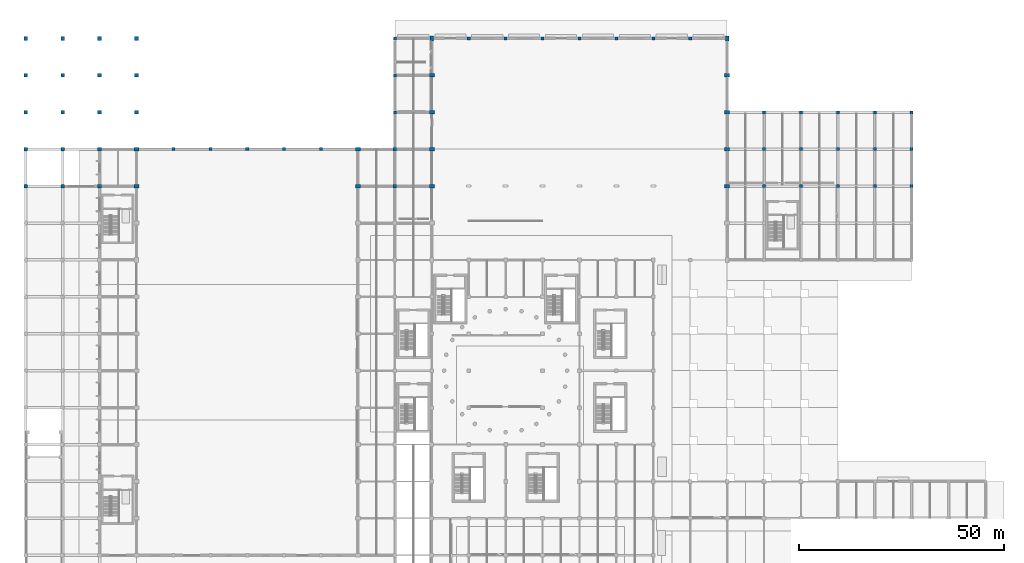
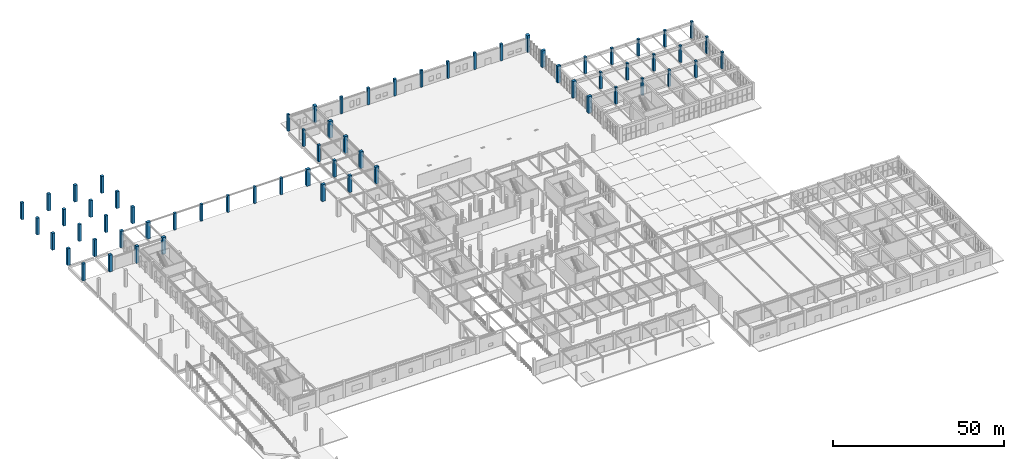
# One storey, part 6 of 91: 64 columns.
"""IFC4 building model written with IfcOpenShell, lengths in metres."""

from ifc_helpers import new_model, si_unit, direction, frame, origin, origin_2d, place, context, subcontext, project, spatial, rectangle, extrude, material, material_profile, profile_set, type_object, element, save


model = new_model("IFC4")

# Units and contexts
model_context = context("Model", 3, precision=1e-05, world=origin(), true_north=direction((0.0, 1.0)))
body_context = subcontext(model_context, "Body", "Model", "MODEL_VIEW")
ifc_project = project(units=[si_unit("LENGTHUNIT", "METRE"), si_unit("AREAUNIT", "SQUARE_METRE"), si_unit("VOLUMEUNIT", "CUBIC_METRE"), si_unit("PLANEANGLEUNIT", "RADIAN"), si_unit("MASSUNIT", "GRAM", prefix="KILO")], contexts=[model_context])

# Site, building, storey
site_placement = place(None, origin())
site = spatial("IfcSite", under=ifc_project, at=site_placement, CompositionType="ELEMENT")
building_placement = place(site_placement, origin())
building = spatial("IfcBuilding", under=site, at=building_placement, Name="Dornveld Trade and Exhibition Forum", CompositionType="ELEMENT")
storey_placement = place(building_placement, origin())
storey = spatial("IfcBuildingStorey", under=building, at=storey_placement, Name="L00", CompositionType="ELEMENT", Elevation=0.0)

# Columns
ifc_material_1 = material(Name="Precast concrete C50/60", Category="concrete")
ifc_material_profile_1 = material_profile(ifc_material_1, rectangle(XDim=0.75, YDim=0.75, at=origin_2d()), Name="PC-COL 750x750")
ifc_profile_set_1 = profile_set([ifc_material_profile_1], Name="Precast concrete C50/60")
column_type_1 = type_object("IfcColumnType", Name="COL-PC750", PredefinedType="COLUMN", material=ifc_profile_set_1)
for number, where, z_axis, x_axis, name in (
    (1, (90.0, 144.0, 0.0), (0.0, 0.0, 1.0), (1.0, 0.0, 0.0), "L00 column (90.0, 144.0)"),
    (2, (90.0, 153.0, 0.0), (0.0, 0.0, 1.0), (1.0, 0.0, 0.0), "L00 column (90.0, 153.0)"),
    (3, (90.0, 162.0, 0.0), (0.0, 0.0, 1.0), (1.0, 0.0, 0.0), "L00 column (90.0, 162.0)"),
    (4, (180.0, 126.0, 0.0), (0.0, 0.0, 1.0), (1.0, 0.0, 0.0), "L00 column (180.0, 126.0)"),
    (5, (180.0, 135.0, 0.0), (0.0, 0.0, 1.0), (1.0, 0.0, 0.0), "L00 column (180.0, 135.0)"),
    (6, (180.0, 144.0, 0.0), (0.0, 0.0, 1.0), (1.0, 0.0, 0.0), "L00 column (180.0, 144.0)"),
    (7, (189.0, 126.0, 0.0), (0.0, 0.0, 1.0), (1.0, 0.0, 0.0), "L00 column (189.0, 126.0)"),
    (8, (189.0, 135.0, 0.0), (0.0, 0.0, 1.0), (1.0, 0.0, 0.0), "L00 column (189.0, 135.0)"),
    (9, (189.0, 144.0, 0.0), (0.0, 0.0, 1.0), (1.0, 0.0, 0.0), "L00 column (189.0, 144.0)"),
    (10, (198.0, 126.0, 0.0), (0.0, 0.0, 1.0), (1.0, 0.0, 0.0), "L00 column (198.0, 126.0)"),
    (11, (198.0, 135.0, 0.0), (0.0, 0.0, 1.0), (1.0, 0.0, 0.0), "L00 column (198.0, 135.0)"),
    (12, (198.0, 144.0, 0.0), (0.0, 0.0, 1.0), (1.0, 0.0, 0.0), "L00 column (198.0, 144.0)"),
    (13, (207.0, 126.0, 0.0), (0.0, 0.0, 1.0), (1.0, 0.0, 0.0), "L00 column (207.0, 126.0)"),
    (14, (207.0, 135.0, 0.0), (0.0, 0.0, 1.0), (1.0, 0.0, 0.0), "L00 column (207.0, 135.0)"),
    (15, (207.0, 144.0, 0.0), (0.0, 0.0, 1.0), (1.0, 0.0, 0.0), "L00 column (207.0, 144.0)"),
    (16, (216.0, 126.0, 0.0), (0.0, 0.0, 1.0), (1.0, 0.0, 0.0), "L00 column (216.0, 126.0)"),
    (17, (216.0, 135.0, 0.0), (0.0, 0.0, 1.0), (1.0, 0.0, 0.0), "L00 column (216.0, 135.0)"),
    (18, (216.0, 144.0, 0.0), (0.0, 0.0, 1.0), (1.0, 0.0, 0.0), "L00 column (216.0, 144.0)"),
):
    element("IfcColumn", number, at=place(storey_placement, frame(where, z_axis=z_axis, x_axis=x_axis)), inside=storey, type_object=column_type_1, Name=name, PredefinedType="COLUMN", context=body_context, shape_type="SweptSolid", body=[
        extrude(rectangle(XDim=0.75, YDim=0.75, at=origin_2d()), origin(), (0.0, 0.0, 1.0), 6.0),
    ])
ifc_material_2 = material(Name="Precast concrete C50/60", Category="concrete")
ifc_material_profile_2 = material_profile(ifc_material_2, rectangle(XDim=0.89990234375, YDim=0.89990234375, at=origin_2d()), Name="PC-COL 900x900")
ifc_profile_set_2 = profile_set([ifc_material_profile_2], Name="Precast concrete C50/60")
column_type_2 = type_object("IfcColumnType", Name="COL-PC900", PredefinedType="COLUMN", material=ifc_profile_set_2)
for number, where, z_axis, x_axis, name in (
    (19, (0.0, 126.0, 0.0), (0.0, 0.0, 1.0), (1.0, 0.0, 0.0), "L00 column (0.0, 126.0)"),
    (20, (0.0, 135.0, 0.0), (0.0, 0.0, 1.0), (1.0, 0.0, 0.0), "L00 column (0.0, 135.0)"),
    (21, (0.0, 144.0, 0.0), (0.0, 0.0, 1.0), (1.0, 0.0, 0.0), "L00 column (0.0, 144.0)"),
    (22, (0.0, 153.0, 0.0), (0.0, 0.0, 1.0), (1.0, 0.0, 0.0), "L00 column (0.0, 153.0)"),
    (23, (0.0, 162.0, 0.0), (0.0, 0.0, 1.0), (1.0, 0.0, 0.0), "L00 column (0.0, 162.0)"),
    (24, (9.0, 126.0, 0.0), (0.0, 0.0, 1.0), (1.0, 0.0, 0.0), "L00 column (9.0, 126.0)"),
    (25, (9.0, 135.0, 0.0), (0.0, 0.0, 1.0), (1.0, 0.0, 0.0), "L00 column (9.0, 135.0)"),
    (26, (9.0, 144.0, 0.0), (0.0, 0.0, 1.0), (1.0, 0.0, 0.0), "L00 column (9.0, 144.0)"),
    (27, (9.0, 153.0, 0.0), (0.0, 0.0, 1.0), (1.0, 0.0, 0.0), "L00 column (9.0, 153.0)"),
    (28, (9.0, 162.0, 0.0), (0.0, 0.0, 1.0), (1.0, 0.0, 0.0), "L00 column (9.0, 162.0)"),
    (29, (18.0, 126.0, 0.0), (0.0, 0.0, 1.0), (1.0, 0.0, 0.0), "L00 column (18.0, 126.0)"),
    (30, (18.0, 135.0, 0.0), (0.0, 0.0, 1.0), (1.0, 0.0, 0.0), "L00 column (18.0, 135.0)"),
    (31, (18.0, 144.0, 0.0), (0.0, 0.0, 1.0), (1.0, 0.0, 0.0), "L00 column (18.0, 144.0)"),
    (32, (18.0, 153.0, 0.0), (0.0, 0.0, 1.0), (1.0, 0.0, 0.0), "L00 column (18.0, 153.0)"),
    (33, (18.0, 162.0, 0.0), (0.0, 0.0, 1.0), (1.0, 0.0, 0.0), "L00 column (18.0, 162.0)"),
    (34, (27.0, 144.0, 0.0), (0.0, 0.0, 1.0), (1.0, 0.0, 0.0), "L00 column (27.0, 144.0)"),
    (35, (27.0, 153.0, 0.0), (0.0, 0.0, 1.0), (1.0, 0.0, 0.0), "L00 column (27.0, 153.0)"),
    (36, (27.0, 162.0, 0.0), (0.0, 0.0, 1.0), (1.0, 0.0, 0.0), "L00 column (27.0, 162.0)"),
    (37, (90.0, 126.0, 0.0), (0.0, 0.0, 1.0), (1.0, 0.0, 0.0), "L00 column (90.0, 126.0)"),
    (38, (90.0, 135.0, 0.0), (0.0, 0.0, 1.0), (1.0, 0.0, 0.0), "L00 column (90.0, 135.0)"),
):
    element("IfcColumn", number, at=place(storey_placement, frame(where, z_axis=z_axis, x_axis=x_axis)), inside=storey, type_object=column_type_2, Name=name, PredefinedType="COLUMN", context=body_context, shape_type="SweptSolid", body=[
        extrude(rectangle(XDim=0.89990234375, YDim=0.89990234375, at=origin_2d()), origin(), (0.0, 0.0, 1.0), 6.0),
    ])
ifc_material_3 = material(Name="Precast concrete C50/60", Category="concrete")
ifc_material_profile_3 = material_profile(ifc_material_3, rectangle(XDim=1.199951171875, YDim=0.89990234375, at=origin_2d()), Name="PC-PIER 1200x900")
ifc_profile_set_3 = profile_set([ifc_material_profile_3], Name="Precast concrete C50/60")
column_type_3 = type_object("IfcColumnType", Name="COL-PIER1200", PredefinedType="COLUMN", material=ifc_profile_set_3)
for number, where, z_axis, x_axis, name in (
    (39, (27.0, 126.0, 0.0), (0.0, 0.0, 1.0), (1.0, 0.0, 0.0), "L00 column (27.0, 126.0)"),
    (40, (27.0, 135.0, 0.0), (0.0, 0.0, 1.0), (1.0, 0.0, 0.0), "L00 column (27.0, 135.0)"),
    (41, (81.0, 126.0, 0.0), (0.0, 0.0, 1.0), (1.0, 0.0, 0.0), "L00 column (81.0, 126.0)"),
    (42, (81.0, 135.0, 0.0), (0.0, 0.0, 1.0), (1.0, 0.0, 0.0), "L00 column (81.0, 135.0)"),
    (43, (99.0, 126.0, 0.0), (0.0, 0.0, 1.0), (1.0, 0.0, 0.0), "L00 column (99.0, 126.0)"),
    (44, (99.0, 135.0, 0.0), (0.0, 0.0, 1.0), (1.0, 0.0, 0.0), "L00 column (99.0, 135.0)"),
    (45, (99.0, 144.0, 0.0), (0.0, 0.0, 1.0), (1.0, 0.0, 0.0), "L00 column (99.0, 144.0)"),
    (46, (99.0, 153.0, 0.0), (0.0, 0.0, 1.0), (1.0, 0.0, 0.0), "L00 column (99.0, 153.0)"),
    (47, (99.0, 162.0, 0.0), (0.0, 0.0, 1.0), (0.0, 1.0, 0.0), "L00 column (99.0, 162.0)"),
    (48, (171.0, 126.0, 0.0), (0.0, 0.0, 1.0), (1.0, 0.0, 0.0), "L00 column (171.0, 126.0)"),
    (49, (171.0, 135.0, 0.0), (0.0, 0.0, 1.0), (1.0, 0.0, 0.0), "L00 column (171.0, 135.0)"),
    (50, (171.0, 144.0, 0.0), (0.0, 0.0, 1.0), (1.0, 0.0, 0.0), "L00 column (171.0, 144.0)"),
    (51, (171.0, 153.0, 0.0), (0.0, 0.0, 1.0), (1.0, 0.0, 0.0), "L00 column (171.0, 153.0)"),
    (52, (171.0, 162.0, 0.0), (0.0, 0.0, 1.0), (0.0, 1.0, 0.0), "L00 column (171.0, 162.0)"),
):
    element("IfcColumn", number, at=place(storey_placement, frame(where, z_axis=z_axis, x_axis=x_axis)), inside=storey, type_object=column_type_3, Name=name, PredefinedType="COLUMN", context=body_context, shape_type="SweptSolid", body=[
        extrude(rectangle(XDim=1.199951171875, YDim=0.89990234375, at=origin_2d()), origin(), (0.0, 0.0, 1.0), 6.0),
    ])
ifc_material_4 = material(Name="Precast concrete C50/60", Category="concrete")
ifc_material_profile_4 = material_profile(ifc_material_4, rectangle(XDim=0.75, YDim=0.75, at=origin_2d()), Name="PC-COL 750x750")
ifc_profile_set_4 = profile_set([ifc_material_profile_4], Name="Precast concrete C50/60")
column_type_4 = type_object("IfcColumnType", Name="COL-PILASTER750", PredefinedType="PILASTER", material=ifc_profile_set_4)
for number, where, z_axis, x_axis, name in (
    (53, (36.0, 135.0, 0.0), (0.0, 0.0, 1.0), (1.0, 0.0, 0.0), "L00 column (36.0, 135.0)"),
    (54, (45.0, 135.0, 0.0), (0.0, 0.0, 1.0), (1.0, 0.0, 0.0), "L00 column (45.0, 135.0)"),
    (55, (54.0, 135.0, 0.0), (0.0, 0.0, 1.0), (1.0, 0.0, 0.0), "L00 column (54.0, 135.0)"),
    (56, (63.0, 135.0, 0.0), (0.0, 0.0, 1.0), (1.0, 0.0, 0.0), "L00 column (63.0, 135.0)"),
    (57, (72.0, 135.0, 0.0), (0.0, 0.0, 1.0), (1.0, 0.0, 0.0), "L00 column (72.0, 135.0)"),
    (58, (108.0, 162.0, 0.0), (0.0, 0.0, 1.0), (1.0, 0.0, 0.0), "L00 column (108.0, 162.0)"),
    (59, (117.0, 162.0, 0.0), (0.0, 0.0, 1.0), (1.0, 0.0, 0.0), "L00 column (117.0, 162.0)"),
    (60, (126.0, 162.0, 0.0), (0.0, 0.0, 1.0), (1.0, 0.0, 0.0), "L00 column (126.0, 162.0)"),
    (61, (135.0, 162.0, 0.0), (0.0, 0.0, 1.0), (1.0, 0.0, 0.0), "L00 column (135.0, 162.0)"),
    (62, (144.0, 162.0, 0.0), (0.0, 0.0, 1.0), (1.0, 0.0, 0.0), "L00 column (144.0, 162.0)"),
    (63, (153.0, 162.0, 0.0), (0.0, 0.0, 1.0), (1.0, 0.0, 0.0), "L00 column (153.0, 162.0)"),
    (64, (162.0, 162.0, 0.0), (0.0, 0.0, 1.0), (1.0, 0.0, 0.0), "L00 column (162.0, 162.0)"),
):
    element("IfcColumn", number, at=place(storey_placement, frame(where, z_axis=z_axis, x_axis=x_axis)), inside=storey, type_object=column_type_4, Name=name, PredefinedType="PILASTER", context=body_context, shape_type="SweptSolid", body=[
        extrude(rectangle(XDim=0.75, YDim=0.75, at=origin_2d()), origin(), (0.0, 0.0, 1.0), 6.0),
    ])

save(model, "model.ifc")
